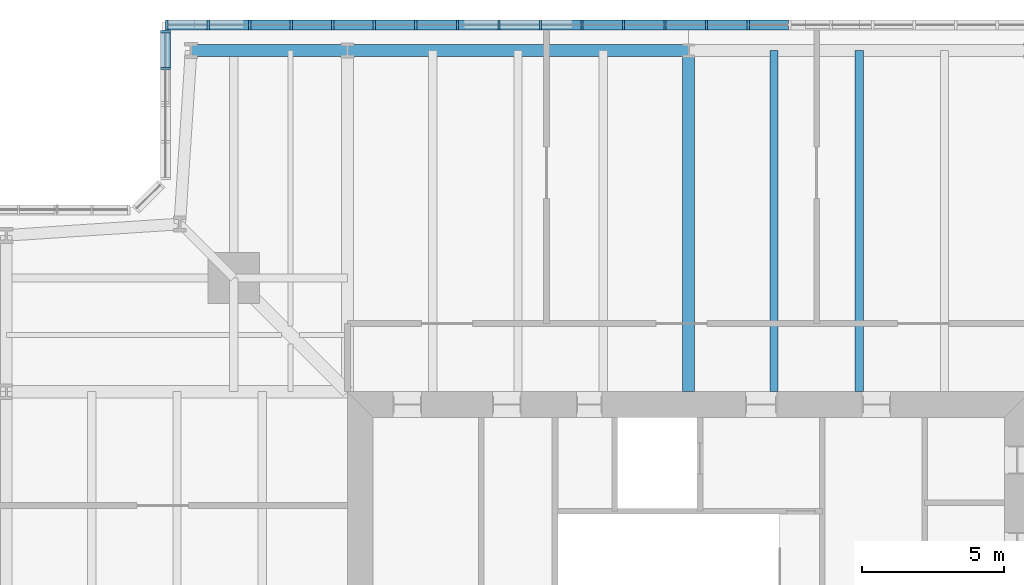
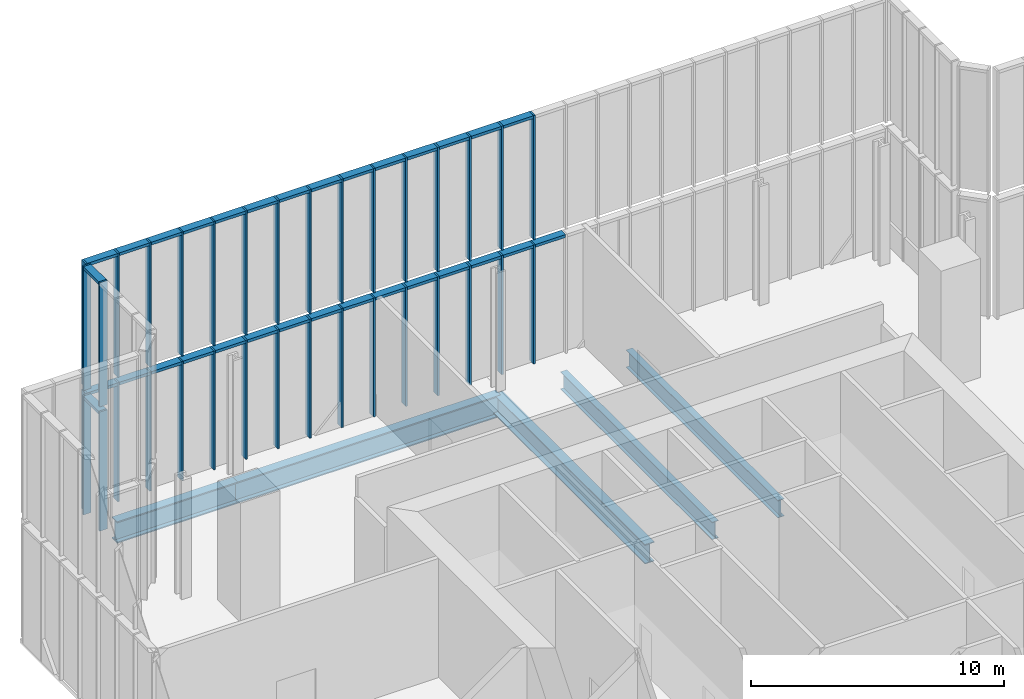
# One storey, part 9 of 25: 65 members, 5 beams, 4 elements without a shape of their own.
"""IFC4 building model written with IfcOpenShell, lengths in metres."""

import ifcopenshell
import ifcopenshell.guid

model = None  # the IFC model being written
_history = None  # IfcOwnerHistory: only IFC2X3 demands one
_inside = {}  # id of a spatial element -> (the spatial element, [elements in it])
_under = {}  # id of a project, library or spatial element -> (it, [spatial elements below it])
_declared = {}  # id of a project -> (the project, [libraries it declares])
_typed = {}  # id of a type object -> (the type object, [elements of that type])
_made_of = {}  # id of a material, layer set ... -> (it, [elements and type objects made of it])


def new_model(schema):
    """Start an empty IFC model of exactly this schema.

    Asked for "IFC4X3", IfcOpenShell would pick the latest addendum, in which some entities
    have other attributes; the version numbers below select the first issue.
    IFC2X3 requires an IfcOwnerHistory on every rooted entity: one is made here for all.
    """
    global model, _history
    if schema == "IFC4X3":
        model = ifcopenshell.file(schema_version=(4, 3, 0, 0))
    else:
        model = ifcopenshell.file(schema=schema)
    _inside.clear()
    _under.clear()
    _declared.clear()
    _typed.clear()
    _made_of.clear()
    _history = None
    if model.schema == "IFC2X3":
        org = make("IfcOrganization", Name="unknown")
        user = make(
            "IfcPersonAndOrganization",
            ThePerson=make("IfcPerson", FamilyName="unknown"),
            TheOrganization=org,
        )
        app = make(
            "IfcApplication",
            ApplicationDeveloper=org,
            Version="unknown",
            ApplicationFullName="unknown",
            ApplicationIdentifier="unknown",
        )
        _history = make(
            "IfcOwnerHistory",
            OwningUser=user,
            OwningApplication=app,
            ChangeAction="ADDED",
            CreationDate=0,
        )
    return model


def make(cls, **values):
    """One entity of the class cls with the attributes given. An attribute that is None is left unset."""
    return model.create_entity(
        cls, **{name: value for name, value in values.items() if value is not None}
    )


def rooted(cls, **values):
    """An entity with a GlobalId (a new one), such as an element, a storey or a relation."""
    return make(cls, GlobalId=ifcopenshell.guid.new(), OwnerHistory=_history, **values)


def si_unit(unit_type, name, prefix=None):
    """IfcSIUnit, for example si_unit("LENGTHUNIT", "METRE", prefix="MILLI")."""
    return make("IfcSIUnit", UnitType=unit_type, Prefix=prefix, Name=name)


def assignment(units):
    """IfcUnitAssignment: the units of a project."""
    return None if units is None else make("IfcUnitAssignment", Units=units)


def point(xyz):
    """IfcCartesianPoint."""
    return None if xyz is None else make("IfcCartesianPoint", Coordinates=xyz)


def direction(xyz):
    """IfcDirection."""
    return None if xyz is None else make("IfcDirection", DirectionRatios=xyz)


def frame(location, z_axis=None, x_axis=None):
    """IfcAxis2Placement3D, a coordinate frame: its origin and axes. An axis left out is left unset."""
    return make(
        "IfcAxis2Placement3D",
        Location=point(location),
        Axis=direction(z_axis),
        RefDirection=direction(x_axis),
    )


def frame_2d(location, x_axis=None):
    """IfcAxis2Placement2D, a coordinate frame in the plane: its origin and x axis."""
    return make(
        "IfcAxis2Placement2D", Location=point(location), RefDirection=direction(x_axis)
    )


def origin():
    """The frame at (0, 0, 0) with its axes left unset."""
    return frame((0.0, 0.0, 0.0))


def origin_2d():
    """The frame at (0, 0) in the plane with its x axis left unset."""
    return frame_2d((0.0, 0.0))


def place(relative_to, where):
    """IfcLocalPlacement: puts the frame where relative to a parent placement (None: the world)."""
    return make(
        "IfcLocalPlacement", PlacementRelTo=relative_to, RelativePlacement=where
    )


def context(
    kind, dimensions, precision=None, world=None, true_north=None, identifier=None
):
    """IfcGeometricRepresentationContext, for example the 3D "Model" context."""
    return make(
        "IfcGeometricRepresentationContext",
        ContextIdentifier=identifier,
        ContextType=kind,
        CoordinateSpaceDimension=dimensions,
        Precision=precision,
        WorldCoordinateSystem=world,
        TrueNorth=true_north,
    )


def subcontext(parent, identifier, kind, view, scale=None):
    """IfcGeometricRepresentationSubContext, for example "Body" below "Model"."""
    return make(
        "IfcGeometricRepresentationSubContext",
        ContextIdentifier=identifier,
        ContextType=kind,
        ParentContext=parent,
        TargetScale=scale,
        TargetView=view,
    )


def project(units=None, contexts=None):
    """IfcProject with its units and contexts."""
    return rooted(
        "IfcProject",
        Name="project",
        RepresentationContexts=contexts,
        UnitsInContext=assignment(units),
    )


def spatial(cls, under=None, at=None, **own):
    """A site, building, storey or space (cls), placed at a placement, below another one or the project."""
    s = rooted(cls, ObjectPlacement=at, **own)
    if under is not None:
        _under.setdefault(under.id(), (under, []))[1].append(s)
    return s


def profile(cls, at=None, kind="AREA", **sizes):
    """A parametric profile (cls). Its sizes go by their IFC names, for example OverallWidth=200.0."""
    return make(cls, ProfileType=kind, Position=at, **sizes)


def rectangle(**sizes):
    """IfcRectangleProfileDef."""
    return profile("IfcRectangleProfileDef", **sizes)


def i_section(**sizes):
    """IfcIShapeProfileDef."""
    return profile("IfcIShapeProfileDef", **sizes)


def extrude(swept, where, along, depth):
    """IfcExtrudedAreaSolid: the profile swept, set in the frame where, extruded along a direction by depth."""
    return make(
        "IfcExtrudedAreaSolid",
        SweptArea=swept,
        Position=where,
        ExtrudedDirection=direction(along),
        Depth=depth,
    )


def shape(context_of_items, identifier, shape_type, items):
    """IfcShapeRepresentation: the items that make up one representation, for example the "Body"."""
    return make(
        "IfcShapeRepresentation",
        ContextOfItems=context_of_items,
        RepresentationIdentifier=identifier,
        RepresentationType=shape_type,
        Items=items,
    )


def material(Name=None, Category=None):
    """IfcMaterial."""
    return make("IfcMaterial", Name=Name, Category=Category)


def material_profile(
    of_material, cross_section, Name=None, Category=None, Priority=None
):
    """IfcMaterialProfile: a cross section and its material."""
    return make(
        "IfcMaterialProfile",
        Name=Name,
        Material=of_material,
        Profile=cross_section,
        Priority=Priority,
        Category=Category,
    )


def profile_set(profiles, Name=None, composite=None):
    """IfcMaterialProfileSet."""
    return make(
        "IfcMaterialProfileSet",
        Name=Name,
        MaterialProfiles=profiles,
        CompositeProfile=composite,
    )


def made_of(thing, what):
    """Note that an element or type object is made of a material, layer set ...; save() writes the relation."""
    if what is not None:
        _made_of.setdefault(what.id(), (what, []))[1].append(thing)
    return thing


def type_object(cls, material=None, **own):
    """A type object (cls), such as IfcWallType, which elements share."""
    return made_of(rooted(cls, **own), material)


def element(
    cls,
    number,
    at=None,
    inside=None,
    cuts=None,
    type_object=None,
    material=None,
    context=None,
    identifier="Body",
    shape_type=None,
    held_by="IfcProductDefinitionShape",
    body=None,
    shapes=None,
    **own,
):
    """One element of the class cls, such as IfcWall. Its Tag is "e" and its number.

    at: its placement. inside: the storey or other place that contains it. cuts: it is an
    opening in that element (IfcRelVoidsElement). A single representation is given by context,
    identifier, shape_type and body (its items); several are given by shapes. held_by: the class
    of the entity that holds the representations. save() writes the other relations.
    """
    e = rooted(cls, Tag="e%d" % number, ObjectPlacement=at, **own)
    if body is not None:
        shapes = [shape(context, identifier, shape_type, body)]
    if shapes is not None:
        e.Representation = make(held_by, Representations=shapes)
    if inside is not None:
        _inside.setdefault(inside.id(), (inside, []))[1].append(e)
    if cuts is not None:
        rooted(
            "IfcRelVoidsElement", RelatingBuildingElement=cuts, RelatedOpeningElement=e
        )
    if type_object is not None:
        _typed.setdefault(type_object.id(), (type_object, []))[1].append(e)
    return made_of(e, material)


def aggregate(whole, parts):
    """IfcRelAggregates: a whole, such as a stair, and the parts it consists of."""
    return rooted("IfcRelAggregates", RelatingObject=whole, RelatedObjects=parts)


def save(model, path):
    """Write the relations noted so far, then the file.

    IfcRelAggregates (storeys below a building ...), IfcRelContainedInSpatialStructure (elements
    in a storey), IfcRelDefinesByType, IfcRelAssociatesMaterial and IfcRelDeclares: one each for
    every whole, place, type object, material and project.
    """
    for whole, parts in _under.values():
        aggregate(whole, parts)
    for where, things in _inside.values():
        rooted(
            "IfcRelContainedInSpatialStructure",
            RelatedElements=things,
            RelatingStructure=where,
        )
    for kind, things in _typed.values():
        rooted("IfcRelDefinesByType", RelatedObjects=things, RelatingType=kind)
    for what, things in _made_of.values():
        rooted("IfcRelAssociatesMaterial", RelatedObjects=things, RelatingMaterial=what)
    for by, libraries in _declared.values():
        rooted("IfcRelDeclares", RelatingContext=by, RelatedDefinitions=libraries)
    model.write(path)


model = new_model("IFC4")

# Units and contexts
model_context = context("Model", 3, precision=1e-05, world=origin(), true_north=direction((0.0, 1.0)))
body_context = subcontext(model_context, "Body", "Model", "MODEL_VIEW")
ifc_project = project(units=[si_unit("LENGTHUNIT", "METRE"), si_unit("AREAUNIT", "SQUARE_METRE"), si_unit("VOLUMEUNIT", "CUBIC_METRE"), si_unit("PLANEANGLEUNIT", "RADIAN"), si_unit("MASSUNIT", "GRAM", prefix="KILO")], contexts=[model_context])

# Site, building, storey
site_placement = place(None, origin())
site = spatial("IfcSite", under=ifc_project, at=site_placement, CompositionType="ELEMENT")
building_placement = place(site_placement, origin())
building = spatial("IfcBuilding", under=site, at=building_placement, Name="Fenwick Lantern Interchange", CompositionType="ELEMENT")
storey_placement = place(building_placement, frame((0.0, 0.0, 307.800048828125)))
storey = spatial("IfcBuildingStorey", under=building, at=storey_placement, Name="L74", CompositionType="ELEMENT", Elevation=307.800048828125)

# Beams
ifc_material_1 = material(Name="Steel ASTM A992 Grade 50", Category="steel")
ifc_material_profile_1 = material_profile(ifc_material_1, i_section(OverallWidth=0.408935546875, OverallDepth=1.04150390625, WebThickness=0.031005859375, FlangeThickness=0.055908203125, at=origin_2d()), Name="W40X397")
ifc_profile_set_1 = profile_set([ifc_material_profile_1], Name="Steel ASTM A992 Grade 50")
beam_type_1 = type_object("IfcBeamType", Name="EDGE BEAM W40X397", PredefinedType="SPANDREL", material=ifc_profile_set_1)
beam_1_placement = place(storey_placement, frame((25.0, 49.0, -0.720703125), z_axis=(-1.0, 0.0, 0.0), x_axis=(0.0, -1.0, 0.0)))
element("IfcBeam", 1, at=beam_1_placement, inside=storey, type_object=beam_type_1, Name="L74/FR/N/EB3", PredefinedType="SPANDREL", context=body_context, shape_type="SweptSolid", body=[
    extrude(i_section(OverallWidth=0.408935546875, OverallDepth=1.04150390625, WebThickness=0.031005859375, FlangeThickness=0.055908203125, at=origin_2d()), origin(), (0.0, 0.0, 1.0), 12.0),
])
beam_2_placement = place(storey_placement, frame((13.0, 49.0, -0.720703125), z_axis=(-1.0, 0.0, 0.0), x_axis=(0.0, -1.0, 0.0)))
element("IfcBeam", 2, at=beam_2_placement, inside=storey, type_object=beam_type_1, Name="L74/FR/N/EB4", PredefinedType="SPANDREL", context=body_context, shape_type="SweptSolid", body=[
    extrude(i_section(OverallWidth=0.408935546875, OverallDepth=1.04150390625, WebThickness=0.031005859375, FlangeThickness=0.055908203125, at=origin_2d()), origin(), (0.0, 0.0, 1.0), 5.5),
])
ifc_material_profile_2 = material_profile(ifc_material_1, i_section(OverallWidth=0.2919921875, OverallDepth=0.845703125, WebThickness=0.015380859375, FlangeThickness=0.0244140625, at=origin_2d()), Name="W33X141")
ifc_profile_set_2 = profile_set([ifc_material_profile_2], Name="Steel ASTM A992 Grade 50")
beam_type_2 = type_object("IfcBeamType", Name="FLOOR BEAM W33X141", PredefinedType="BEAM", material=ifc_profile_set_2)
for number, where, z_axis, x_axis, name in (
    (3, (31.0, 49.0, -0.623046875), (0.0, -1.0, 0.0), (1.0, 0.0, 0.0), "L74/FR/N/R03"),
    (4, (28.0, 49.0, -0.623046875), (0.0, -1.0, 0.0), (1.0, 0.0, 0.0), "L74/FR/N/R04"),
):
    element("IfcBeam", number, at=place(storey_placement, frame(where, z_axis=z_axis, x_axis=x_axis)), inside=storey, type_object=beam_type_2, Name=name, PredefinedType="BEAM", context=body_context, shape_type="SweptSolid", body=[
        extrude(i_section(OverallWidth=0.2919921875, OverallDepth=0.845703125, WebThickness=0.015380859375, FlangeThickness=0.0244140625, at=origin_2d()), origin(), (0.0, 0.0, 1.0), 12.0),
    ])

# Curtain wall, members
ifc_material_2 = material(Name="Aluminium curtain wall frame", Category="aluminium")
curtain_wall_type = type_object("IfcCurtainWallType", Name="LANTERN GLAZING", PredefinedType="USERDEFINED", material=ifc_material_2)
curtain_wall_1_placement = place(storey_placement, origin())
curtain_wall_1 = element("IfcCurtainWall", 5, at=curtain_wall_1_placement, inside=storey, type_object=curtain_wall_type, Name="Lantern glazing 09", ObjectType="LANTERN GLAZING", PredefinedType="USERDEFINED")
ifc_material_3 = material(Name="Aluminium extrusion", Category="aluminium")
ifc_material_profile_3 = material_profile(ifc_material_3, rectangle(XDim=0.35009765625, YDim=0.080078125, at=origin_2d()), Name="LANTERN GLAZING MULLION 80 X 350")
ifc_profile_set_3 = profile_set([ifc_material_profile_3], Name="Aluminium extrusion")
member_type_1 = type_object("IfcMemberType", Name="LANTERN GLAZING MULLION 80 X 350", PredefinedType="MULLION", material=ifc_profile_set_3)
member_1_placement = place(storey_placement, frame((27.09130859375, 49.89990234375, 0.0), z_axis=(0.0, 0.0, 1.0), x_axis=(0.0, -1.0, 0.0)))
member_1 = element("IfcMember", 6, at=member_1_placement, type_object=member_type_1, Name="L74/CW/09/M11", PredefinedType="MULLION", context=body_context, shape_type="SweptSolid", body=[
    extrude(rectangle(XDim=0.35009765625, YDim=0.080078125, at=origin_2d()), origin(), (0.0, 0.0, 1.0), 5.75),
])
member_2_placement = place(storey_placement, frame((25.63037109375, 49.89990234375, 0.0), z_axis=(0.0, 0.0, 1.0), x_axis=(0.0, -1.0, 0.0)))
member_2 = element("IfcMember", 7, at=member_2_placement, type_object=member_type_1, Name="L74/CW/09/M12", PredefinedType="MULLION", context=body_context, shape_type="SweptSolid", body=[
    extrude(rectangle(XDim=0.35009765625, YDim=0.080078125, at=origin_2d()), origin(), (0.0, 0.0, 1.0), 5.75),
])
member_3_placement = place(storey_placement, frame((24.169677734375, 49.89990234375, 0.0), z_axis=(0.0, 0.0, 1.0), x_axis=(0.0, -1.0, 0.0)))
member_3 = element("IfcMember", 8, at=member_3_placement, type_object=member_type_1, Name="L74/CW/09/M13", PredefinedType="MULLION", context=body_context, shape_type="SweptSolid", body=[
    extrude(rectangle(XDim=0.35009765625, YDim=0.080078125, at=origin_2d()), origin(), (0.0, 0.0, 1.0), 5.75),
])
member_4_placement = place(storey_placement, frame((22.708740234375, 49.89990234375, 0.0), z_axis=(0.0, 0.0, 1.0), x_axis=(0.0, -1.0, 0.0)))
member_4 = element("IfcMember", 9, at=member_4_placement, type_object=member_type_1, Name="L74/CW/09/M14", PredefinedType="MULLION", context=body_context, shape_type="SweptSolid", body=[
    extrude(rectangle(XDim=0.35009765625, YDim=0.080078125, at=origin_2d()), origin(), (0.0, 0.0, 1.0), 5.75),
])
member_5_placement = place(storey_placement, frame((21.248046875, 49.89990234375, 0.0), z_axis=(0.0, 0.0, 1.0), x_axis=(0.0, -1.0, 0.0)))
member_5 = element("IfcMember", 10, at=member_5_placement, type_object=member_type_1, Name="L74/CW/09/M15", PredefinedType="MULLION", context=body_context, shape_type="SweptSolid", body=[
    extrude(rectangle(XDim=0.35009765625, YDim=0.080078125, at=origin_2d()), origin(), (0.0, 0.0, 1.0), 5.75),
])
member_6_placement = place(storey_placement, frame((19.787109375, 49.89990234375, 0.0), z_axis=(0.0, 0.0, 1.0), x_axis=(0.0, -1.0, 0.0)))
member_6 = element("IfcMember", 11, at=member_6_placement, type_object=member_type_1, Name="L74/CW/09/M16", PredefinedType="MULLION", context=body_context, shape_type="SweptSolid", body=[
    extrude(rectangle(XDim=0.35009765625, YDim=0.080078125, at=origin_2d()), origin(), (0.0, 0.0, 1.0), 5.75),
])
member_7_placement = place(storey_placement, frame((18.326416015625, 49.89990234375, 0.0), z_axis=(0.0, 0.0, 1.0), x_axis=(0.0, -1.0, 0.0)))
member_7 = element("IfcMember", 12, at=member_7_placement, type_object=member_type_1, Name="L74/CW/09/M17", PredefinedType="MULLION", context=body_context, shape_type="SweptSolid", body=[
    extrude(rectangle(XDim=0.35009765625, YDim=0.080078125, at=origin_2d()), origin(), (0.0, 0.0, 1.0), 5.75),
])
member_8_placement = place(storey_placement, frame((16.865478515625, 49.89990234375, 0.0), z_axis=(0.0, 0.0, 1.0), x_axis=(0.0, -1.0, 0.0)))
member_8 = element("IfcMember", 13, at=member_8_placement, type_object=member_type_1, Name="L74/CW/09/M18", PredefinedType="MULLION", context=body_context, shape_type="SweptSolid", body=[
    extrude(rectangle(XDim=0.35009765625, YDim=0.080078125, at=origin_2d()), origin(), (0.0, 0.0, 1.0), 5.75),
])
member_9_placement = place(storey_placement, frame((15.40478515625, 49.89990234375, 0.0), z_axis=(0.0, 0.0, 1.0), x_axis=(0.0, -1.0, 0.0)))
member_9 = element("IfcMember", 14, at=member_9_placement, type_object=member_type_1, Name="L74/CW/09/M19", PredefinedType="MULLION", context=body_context, shape_type="SweptSolid", body=[
    extrude(rectangle(XDim=0.35009765625, YDim=0.080078125, at=origin_2d()), origin(), (0.0, 0.0, 1.0), 5.75),
])
member_10_placement = place(storey_placement, frame((13.944091796875, 49.89990234375, 0.0), z_axis=(0.0, 0.0, 1.0), x_axis=(0.0, -1.0, 0.0)))
member_10 = element("IfcMember", 15, at=member_10_placement, type_object=member_type_1, Name="L74/CW/09/M20", PredefinedType="MULLION", context=body_context, shape_type="SweptSolid", body=[
    extrude(rectangle(XDim=0.35009765625, YDim=0.080078125, at=origin_2d()), origin(), (0.0, 0.0, 1.0), 5.75),
])
member_11_placement = place(storey_placement, frame((12.483154296875, 49.89990234375, 0.0), z_axis=(0.0, 0.0, 1.0), x_axis=(0.0, -1.0, 0.0)))
member_11 = element("IfcMember", 16, at=member_11_placement, type_object=member_type_1, Name="L74/CW/09/M21", PredefinedType="MULLION", context=body_context, shape_type="SweptSolid", body=[
    extrude(rectangle(XDim=0.35009765625, YDim=0.080078125, at=origin_2d()), origin(), (0.0, 0.0, 1.0), 5.75),
])
member_12_placement = place(storey_placement, frame((11.0224609375, 49.89990234375, 0.0), z_axis=(0.0, 0.0, 1.0), x_axis=(0.0, -1.0, 0.0)))
member_12 = element("IfcMember", 17, at=member_12_placement, type_object=member_type_1, Name="L74/CW/09/M22", PredefinedType="MULLION", context=body_context, shape_type="SweptSolid", body=[
    extrude(rectangle(XDim=0.35009765625, YDim=0.080078125, at=origin_2d()), origin(), (0.0, 0.0, 1.0), 5.75),
])
member_13_placement = place(storey_placement, frame((9.5615234375, 49.89990234375, 0.0), z_axis=(0.0, 0.0, 1.0), x_axis=(0.0, -1.0, 0.0)))
member_13 = element("IfcMember", 18, at=member_13_placement, type_object=member_type_1, Name="L74/CW/09/M23", PredefinedType="MULLION", context=body_context, shape_type="SweptSolid", body=[
    extrude(rectangle(XDim=0.35009765625, YDim=0.080078125, at=origin_2d()), origin(), (0.0, 0.0, 1.0), 5.75),
])
member_14_placement = place(storey_placement, frame((8.100830078125, 49.89990234375, 0.0), z_axis=(0.0, 0.0, 1.0), x_axis=(0.0, -1.0, 0.0)))
member_14 = element("IfcMember", 19, at=member_14_placement, type_object=member_type_1, Name="L74/CW/09/M24", PredefinedType="MULLION", context=body_context, shape_type="SweptSolid", body=[
    extrude(rectangle(XDim=0.35009765625, YDim=0.080078125, at=origin_2d()), origin(), (0.0, 0.0, 1.0), 5.75),
])
member_15_placement = place(storey_placement, frame((6.639892578125, 49.89990234375, 0.0), z_axis=(0.0, 0.0, 1.0), x_axis=(0.0, -1.0, 0.0)))
member_15 = element("IfcMember", 20, at=member_15_placement, type_object=member_type_1, Name="L74/CW/09/M25", PredefinedType="MULLION", context=body_context, shape_type="SweptSolid", body=[
    extrude(rectangle(XDim=0.35009765625, YDim=0.080078125, at=origin_2d()), origin(), (0.0, 0.0, 1.0), 5.75),
])

curtain_wall_2_placement = place(storey_placement, origin())
curtain_wall_2 = element("IfcCurtainWall", 21, at=curtain_wall_2_placement, inside=storey, type_object=curtain_wall_type, Name="Lantern glazing 10", ObjectType="LANTERN GLAZING", PredefinedType="USERDEFINED")
member_16_placement = place(storey_placement, frame((6.60009765625, 49.659912109375, 0.0), z_axis=(0.0, 0.0, 1.0), x_axis=(1.0, 0.0, 0.0)))
member_16 = element("IfcMember", 22, at=member_16_placement, type_object=member_type_1, Name="L74/CW/10/M00", PredefinedType="MULLION", context=body_context, shape_type="SweptSolid", body=[
    extrude(rectangle(XDim=0.35009765625, YDim=0.080078125, at=origin_2d()), origin(), (0.0, 0.0, 1.0), 5.75),
])
member_17_placement = place(storey_placement, frame((6.60009765625, 48.36962890625, 0.0), z_axis=(0.0, 0.0, 1.0), x_axis=(1.0, 0.0, 0.0)))
member_17 = element("IfcMember", 23, at=member_17_placement, type_object=member_type_1, Name="L74/CW/10/M01", PredefinedType="MULLION", context=body_context, shape_type="SweptSolid", body=[
    extrude(rectangle(XDim=0.35009765625, YDim=0.080078125, at=origin_2d()), origin(), (0.0, 0.0, 1.0), 5.75),
])

curtain_wall_3_placement = place(storey_placement, origin())
curtain_wall_3 = element("IfcCurtainWall", 24, at=curtain_wall_3_placement, inside=storey, type_object=curtain_wall_type, Name="Lantern glazing 09", ObjectType="LANTERN GLAZING", PredefinedType="USERDEFINED")
member_18_placement = place(storey_placement, frame((27.09130859375, 49.89990234375, 6.0), z_axis=(0.0, 0.0, 1.0), x_axis=(0.0, -1.0, 0.0)))
member_18 = element("IfcMember", 25, at=member_18_placement, type_object=member_type_1, Name="RF/LANTERN/09/M11", PredefinedType="MULLION", context=body_context, shape_type="SweptSolid", body=[
    extrude(rectangle(XDim=0.35009765625, YDim=0.080078125, at=origin_2d()), origin(), (0.0, 0.0, 1.0), 6.0),
])
member_19_placement = place(storey_placement, frame((25.63037109375, 49.89990234375, 6.0), z_axis=(0.0, 0.0, 1.0), x_axis=(0.0, -1.0, 0.0)))
member_19 = element("IfcMember", 26, at=member_19_placement, type_object=member_type_1, Name="RF/LANTERN/09/M12", PredefinedType="MULLION", context=body_context, shape_type="SweptSolid", body=[
    extrude(rectangle(XDim=0.35009765625, YDim=0.080078125, at=origin_2d()), origin(), (0.0, 0.0, 1.0), 6.0),
])
member_20_placement = place(storey_placement, frame((24.169677734375, 49.89990234375, 6.0), z_axis=(0.0, 0.0, 1.0), x_axis=(0.0, -1.0, 0.0)))
member_20 = element("IfcMember", 27, at=member_20_placement, type_object=member_type_1, Name="RF/LANTERN/09/M13", PredefinedType="MULLION", context=body_context, shape_type="SweptSolid", body=[
    extrude(rectangle(XDim=0.35009765625, YDim=0.080078125, at=origin_2d()), origin(), (0.0, 0.0, 1.0), 6.0),
])
member_21_placement = place(storey_placement, frame((22.708740234375, 49.89990234375, 6.0), z_axis=(0.0, 0.0, 1.0), x_axis=(0.0, -1.0, 0.0)))
member_21 = element("IfcMember", 28, at=member_21_placement, type_object=member_type_1, Name="RF/LANTERN/09/M14", PredefinedType="MULLION", context=body_context, shape_type="SweptSolid", body=[
    extrude(rectangle(XDim=0.35009765625, YDim=0.080078125, at=origin_2d()), origin(), (0.0, 0.0, 1.0), 6.0),
])
member_22_placement = place(storey_placement, frame((21.248046875, 49.89990234375, 6.0), z_axis=(0.0, 0.0, 1.0), x_axis=(0.0, -1.0, 0.0)))
member_22 = element("IfcMember", 29, at=member_22_placement, type_object=member_type_1, Name="RF/LANTERN/09/M15", PredefinedType="MULLION", context=body_context, shape_type="SweptSolid", body=[
    extrude(rectangle(XDim=0.35009765625, YDim=0.080078125, at=origin_2d()), origin(), (0.0, 0.0, 1.0), 6.0),
])
member_23_placement = place(storey_placement, frame((19.787109375, 49.89990234375, 6.0), z_axis=(0.0, 0.0, 1.0), x_axis=(0.0, -1.0, 0.0)))
member_23 = element("IfcMember", 30, at=member_23_placement, type_object=member_type_1, Name="RF/LANTERN/09/M16", PredefinedType="MULLION", context=body_context, shape_type="SweptSolid", body=[
    extrude(rectangle(XDim=0.35009765625, YDim=0.080078125, at=origin_2d()), origin(), (0.0, 0.0, 1.0), 6.0),
])
member_24_placement = place(storey_placement, frame((18.326416015625, 49.89990234375, 6.0), z_axis=(0.0, 0.0, 1.0), x_axis=(0.0, -1.0, 0.0)))
member_24 = element("IfcMember", 31, at=member_24_placement, type_object=member_type_1, Name="RF/LANTERN/09/M17", PredefinedType="MULLION", context=body_context, shape_type="SweptSolid", body=[
    extrude(rectangle(XDim=0.35009765625, YDim=0.080078125, at=origin_2d()), origin(), (0.0, 0.0, 1.0), 6.0),
])
member_25_placement = place(storey_placement, frame((16.865478515625, 49.89990234375, 6.0), z_axis=(0.0, 0.0, 1.0), x_axis=(0.0, -1.0, 0.0)))
member_25 = element("IfcMember", 32, at=member_25_placement, type_object=member_type_1, Name="RF/LANTERN/09/M18", PredefinedType="MULLION", context=body_context, shape_type="SweptSolid", body=[
    extrude(rectangle(XDim=0.35009765625, YDim=0.080078125, at=origin_2d()), origin(), (0.0, 0.0, 1.0), 6.0),
])
member_26_placement = place(storey_placement, frame((15.40478515625, 49.89990234375, 6.0), z_axis=(0.0, 0.0, 1.0), x_axis=(0.0, -1.0, 0.0)))
member_26 = element("IfcMember", 33, at=member_26_placement, type_object=member_type_1, Name="RF/LANTERN/09/M19", PredefinedType="MULLION", context=body_context, shape_type="SweptSolid", body=[
    extrude(rectangle(XDim=0.35009765625, YDim=0.080078125, at=origin_2d()), origin(), (0.0, 0.0, 1.0), 6.0),
])
member_27_placement = place(storey_placement, frame((13.944091796875, 49.89990234375, 6.0), z_axis=(0.0, 0.0, 1.0), x_axis=(0.0, -1.0, 0.0)))
member_27 = element("IfcMember", 34, at=member_27_placement, type_object=member_type_1, Name="RF/LANTERN/09/M20", PredefinedType="MULLION", context=body_context, shape_type="SweptSolid", body=[
    extrude(rectangle(XDim=0.35009765625, YDim=0.080078125, at=origin_2d()), origin(), (0.0, 0.0, 1.0), 6.0),
])
member_28_placement = place(storey_placement, frame((12.483154296875, 49.89990234375, 6.0), z_axis=(0.0, 0.0, 1.0), x_axis=(0.0, -1.0, 0.0)))
member_28 = element("IfcMember", 35, at=member_28_placement, type_object=member_type_1, Name="RF/LANTERN/09/M21", PredefinedType="MULLION", context=body_context, shape_type="SweptSolid", body=[
    extrude(rectangle(XDim=0.35009765625, YDim=0.080078125, at=origin_2d()), origin(), (0.0, 0.0, 1.0), 6.0),
])
member_29_placement = place(storey_placement, frame((11.0224609375, 49.89990234375, 6.0), z_axis=(0.0, 0.0, 1.0), x_axis=(0.0, -1.0, 0.0)))
member_29 = element("IfcMember", 36, at=member_29_placement, type_object=member_type_1, Name="RF/LANTERN/09/M22", PredefinedType="MULLION", context=body_context, shape_type="SweptSolid", body=[
    extrude(rectangle(XDim=0.35009765625, YDim=0.080078125, at=origin_2d()), origin(), (0.0, 0.0, 1.0), 6.0),
])
member_30_placement = place(storey_placement, frame((9.5615234375, 49.89990234375, 6.0), z_axis=(0.0, 0.0, 1.0), x_axis=(0.0, -1.0, 0.0)))
member_30 = element("IfcMember", 37, at=member_30_placement, type_object=member_type_1, Name="RF/LANTERN/09/M23", PredefinedType="MULLION", context=body_context, shape_type="SweptSolid", body=[
    extrude(rectangle(XDim=0.35009765625, YDim=0.080078125, at=origin_2d()), origin(), (0.0, 0.0, 1.0), 6.0),
])
member_31_placement = place(storey_placement, frame((8.100830078125, 49.89990234375, 6.0), z_axis=(0.0, 0.0, 1.0), x_axis=(0.0, -1.0, 0.0)))
member_31 = element("IfcMember", 38, at=member_31_placement, type_object=member_type_1, Name="RF/LANTERN/09/M24", PredefinedType="MULLION", context=body_context, shape_type="SweptSolid", body=[
    extrude(rectangle(XDim=0.35009765625, YDim=0.080078125, at=origin_2d()), origin(), (0.0, 0.0, 1.0), 6.0),
])
member_32_placement = place(storey_placement, frame((6.639892578125, 49.89990234375, 6.0), z_axis=(0.0, 0.0, 1.0), x_axis=(0.0, -1.0, 0.0)))
member_32 = element("IfcMember", 39, at=member_32_placement, type_object=member_type_1, Name="RF/LANTERN/09/M25", PredefinedType="MULLION", context=body_context, shape_type="SweptSolid", body=[
    extrude(rectangle(XDim=0.35009765625, YDim=0.080078125, at=origin_2d()), origin(), (0.0, 0.0, 1.0), 6.0),
])

curtain_wall_4_placement = place(storey_placement, origin())
curtain_wall_4 = element("IfcCurtainWall", 40, at=curtain_wall_4_placement, inside=storey, type_object=curtain_wall_type, Name="Lantern glazing 10", ObjectType="LANTERN GLAZING", PredefinedType="USERDEFINED")
member_33_placement = place(storey_placement, frame((6.60009765625, 49.659912109375, 6.0), z_axis=(0.0, 0.0, 1.0), x_axis=(1.0, 0.0, 0.0)))
member_33 = element("IfcMember", 41, at=member_33_placement, type_object=member_type_1, Name="RF/LANTERN/10/M00", PredefinedType="MULLION", context=body_context, shape_type="SweptSolid", body=[
    extrude(rectangle(XDim=0.35009765625, YDim=0.080078125, at=origin_2d()), origin(), (0.0, 0.0, 1.0), 6.0),
])
member_34_placement = place(storey_placement, frame((6.60009765625, 48.36962890625, 6.0), z_axis=(0.0, 0.0, 1.0), x_axis=(1.0, 0.0, 0.0)))
member_34 = element("IfcMember", 42, at=member_34_placement, type_object=member_type_1, Name="RF/LANTERN/10/M01", PredefinedType="MULLION", context=body_context, shape_type="SweptSolid", body=[
    extrude(rectangle(XDim=0.35009765625, YDim=0.080078125, at=origin_2d()), origin(), (0.0, 0.0, 1.0), 6.0),
])

# Member
ifc_material_profile_4 = material_profile(ifc_material_3, rectangle(XDim=0.35009765625, YDim=0.139892578125, at=origin_2d()), Name="LANTERN GLAZING TRANSOM 140 X 350")
ifc_profile_set_4 = profile_set([ifc_material_profile_4], Name="Aluminium extrusion")
member_type_2 = type_object("IfcMemberType", Name="LANTERN GLAZING TRANSOM 140 X 350", PredefinedType="MULLION", material=ifc_profile_set_4)
member_35_placement = place(storey_placement, frame((28.511962890625, 49.89990234375, 5.679931640625), z_axis=(-1.0, 0.0, 0.0), x_axis=(0.0, -1.0, 0.0)))
member_35 = element("IfcMember", 43, at=member_35_placement, type_object=member_type_2, Name="L74/CW/09/T10", PredefinedType="MULLION", context=body_context, shape_type="SweptSolid", body=[
    extrude(rectangle(XDim=0.35009765625, YDim=0.139892578125, at=origin_2d()), origin(), (0.0, 0.0, 1.0), 1.380859375),
])

member_36_placement = place(storey_placement, frame((27.05126953125, 49.89990234375, 5.679931640625), z_axis=(-1.0, 0.0, 0.0), x_axis=(0.0, -1.0, 0.0)))
member_36 = element("IfcMember", 44, at=member_36_placement, type_object=member_type_2, Name="L74/CW/09/T11", PredefinedType="MULLION", context=body_context, shape_type="SweptSolid", body=[
    extrude(rectangle(XDim=0.35009765625, YDim=0.139892578125, at=origin_2d()), origin(), (0.0, 0.0, 1.0), 1.380859375),
])

member_37_placement = place(storey_placement, frame((25.59033203125, 49.89990234375, 5.679931640625), z_axis=(-1.0, 0.0, 0.0), x_axis=(0.0, -1.0, 0.0)))
member_37 = element("IfcMember", 45, at=member_37_placement, type_object=member_type_2, Name="L74/CW/09/T12", PredefinedType="MULLION", context=body_context, shape_type="SweptSolid", body=[
    extrude(rectangle(XDim=0.35009765625, YDim=0.139892578125, at=origin_2d()), origin(), (0.0, 0.0, 1.0), 1.380615234375),
])

member_38_placement = place(storey_placement, frame((24.129638671875, 49.89990234375, 5.679931640625), z_axis=(-1.0, 0.0, 0.0), x_axis=(0.0, -1.0, 0.0)))
member_38 = element("IfcMember", 46, at=member_38_placement, type_object=member_type_2, Name="L74/CW/09/T13", PredefinedType="MULLION", context=body_context, shape_type="SweptSolid", body=[
    extrude(rectangle(XDim=0.35009765625, YDim=0.139892578125, at=origin_2d()), origin(), (0.0, 0.0, 1.0), 1.380859375),
])

member_39_placement = place(storey_placement, frame((22.668701171875, 49.89990234375, 5.679931640625), z_axis=(-1.0, 0.0, 0.0), x_axis=(0.0, -1.0, 0.0)))
member_39 = element("IfcMember", 47, at=member_39_placement, type_object=member_type_2, Name="L74/CW/09/T14", PredefinedType="MULLION", context=body_context, shape_type="SweptSolid", body=[
    extrude(rectangle(XDim=0.35009765625, YDim=0.139892578125, at=origin_2d()), origin(), (0.0, 0.0, 1.0), 1.380615234375),
])

member_40_placement = place(storey_placement, frame((21.2080078125, 49.89990234375, 5.679931640625), z_axis=(-1.0, 0.0, 0.0), x_axis=(0.0, -1.0, 0.0)))
member_40 = element("IfcMember", 48, at=member_40_placement, type_object=member_type_2, Name="L74/CW/09/T15", PredefinedType="MULLION", context=body_context, shape_type="SweptSolid", body=[
    extrude(rectangle(XDim=0.35009765625, YDim=0.139892578125, at=origin_2d()), origin(), (0.0, 0.0, 1.0), 1.380859375),
])

member_41_placement = place(storey_placement, frame((19.747314453125, 49.89990234375, 5.679931640625), z_axis=(-1.0, 0.0, 0.0), x_axis=(0.0, -1.0, 0.0)))
member_41 = element("IfcMember", 49, at=member_41_placement, type_object=member_type_2, Name="L74/CW/09/T16", PredefinedType="MULLION", context=body_context, shape_type="SweptSolid", body=[
    extrude(rectangle(XDim=0.35009765625, YDim=0.139892578125, at=origin_2d()), origin(), (0.0, 0.0, 1.0), 1.380859375),
])

member_42_placement = place(storey_placement, frame((18.286376953125, 49.89990234375, 5.679931640625), z_axis=(-1.0, 0.0, 0.0), x_axis=(0.0, -1.0, 0.0)))
member_42 = element("IfcMember", 50, at=member_42_placement, type_object=member_type_2, Name="L74/CW/09/T17", PredefinedType="MULLION", context=body_context, shape_type="SweptSolid", body=[
    extrude(rectangle(XDim=0.35009765625, YDim=0.139892578125, at=origin_2d()), origin(), (0.0, 0.0, 1.0), 1.380859375),
])

member_43_placement = place(storey_placement, frame((16.82568359375, 49.89990234375, 5.679931640625), z_axis=(-1.0, 0.0, 0.0), x_axis=(0.0, -1.0, 0.0)))
member_43 = element("IfcMember", 51, at=member_43_placement, type_object=member_type_2, Name="L74/CW/09/T18", PredefinedType="MULLION", context=body_context, shape_type="SweptSolid", body=[
    extrude(rectangle(XDim=0.35009765625, YDim=0.139892578125, at=origin_2d()), origin(), (0.0, 0.0, 1.0), 1.380859375),
])

member_44_placement = place(storey_placement, frame((15.36474609375, 49.89990234375, 5.679931640625), z_axis=(-1.0, 0.0, 0.0), x_axis=(0.0, -1.0, 0.0)))
member_44 = element("IfcMember", 52, at=member_44_placement, type_object=member_type_2, Name="L74/CW/09/T19", PredefinedType="MULLION", context=body_context, shape_type="SweptSolid", body=[
    extrude(rectangle(XDim=0.35009765625, YDim=0.139892578125, at=origin_2d()), origin(), (0.0, 0.0, 1.0), 1.380859375),
])

member_45_placement = place(storey_placement, frame((13.904052734375, 49.89990234375, 5.679931640625), z_axis=(-1.0, 0.0, 0.0), x_axis=(0.0, -1.0, 0.0)))
member_45 = element("IfcMember", 53, at=member_45_placement, type_object=member_type_2, Name="L74/CW/09/T20", PredefinedType="MULLION", context=body_context, shape_type="SweptSolid", body=[
    extrude(rectangle(XDim=0.35009765625, YDim=0.139892578125, at=origin_2d()), origin(), (0.0, 0.0, 1.0), 1.380859375),
])

member_46_placement = place(storey_placement, frame((12.443115234375, 49.89990234375, 5.679931640625), z_axis=(-1.0, 0.0, 0.0), x_axis=(0.0, -1.0, 0.0)))
member_46 = element("IfcMember", 54, at=member_46_placement, type_object=member_type_2, Name="L74/CW/09/T21", PredefinedType="MULLION", context=body_context, shape_type="SweptSolid", body=[
    extrude(rectangle(XDim=0.35009765625, YDim=0.139892578125, at=origin_2d()), origin(), (0.0, 0.0, 1.0), 1.380615234375),
])

member_47_placement = place(storey_placement, frame((10.982421875, 49.89990234375, 5.679931640625), z_axis=(-1.0, 0.0, 0.0), x_axis=(0.0, -1.0, 0.0)))
member_47 = element("IfcMember", 55, at=member_47_placement, type_object=member_type_2, Name="L74/CW/09/T22", PredefinedType="MULLION", context=body_context, shape_type="SweptSolid", body=[
    extrude(rectangle(XDim=0.35009765625, YDim=0.139892578125, at=origin_2d()), origin(), (0.0, 0.0, 1.0), 1.380859375),
])

member_48_placement = place(storey_placement, frame((9.521484375, 49.89990234375, 5.679931640625), z_axis=(-1.0, 0.0, 0.0), x_axis=(0.0, -1.0, 0.0)))
member_48 = element("IfcMember", 56, at=member_48_placement, type_object=member_type_2, Name="L74/CW/09/T23", PredefinedType="MULLION", context=body_context, shape_type="SweptSolid", body=[
    extrude(rectangle(XDim=0.35009765625, YDim=0.139892578125, at=origin_2d()), origin(), (0.0, 0.0, 1.0), 1.380615234375),
])

member_49_placement = place(storey_placement, frame((8.060791015625, 49.89990234375, 5.679931640625), z_axis=(-1.0, 0.0, 0.0), x_axis=(0.0, -1.0, 0.0)))
member_49 = element("IfcMember", 57, at=member_49_placement, type_object=member_type_2, Name="L74/CW/09/T24", PredefinedType="MULLION", context=body_context, shape_type="SweptSolid", body=[
    extrude(rectangle(XDim=0.35009765625, YDim=0.139892578125, at=origin_2d()), origin(), (0.0, 0.0, 1.0), 1.380859375),
])

aggregate(curtain_wall_1, [member_1, member_2, member_3, member_4, member_5, member_6, member_7, member_8, member_9, member_10, member_11, member_12, member_13, member_14, member_15, member_35, member_36, member_37, member_38, member_39, member_40, member_41, member_42, member_43, member_44, member_45, member_46, member_47, member_48, member_49])

member_50_placement = place(storey_placement, frame((6.60009765625, 49.6201171875, 5.679931640625), z_axis=(0.0, -1.0, 0.0), x_axis=(1.0, 0.0, 0.0)))
member_50 = element("IfcMember", 58, at=member_50_placement, type_object=member_type_2, Name="L74/CW/10/T00", PredefinedType="MULLION", context=body_context, shape_type="SweptSolid", body=[
    extrude(rectangle(XDim=0.35009765625, YDim=0.139892578125, at=origin_2d()), origin(), (0.0, 0.0, 1.0), 1.21044921875),
])

aggregate(curtain_wall_2, [member_16, member_17, member_50])

member_51_placement = place(storey_placement, frame((27.05126953125, 49.89990234375, 11.929931640625), z_axis=(-1.0, 0.0, 0.0), x_axis=(0.0, -1.0, 0.0)))
member_51 = element("IfcMember", 59, at=member_51_placement, type_object=member_type_2, Name="RF/LANTERN/09/T11", PredefinedType="MULLION", context=body_context, shape_type="SweptSolid", body=[
    extrude(rectangle(XDim=0.35009765625, YDim=0.139892578125, at=origin_2d()), origin(), (0.0, 0.0, 1.0), 1.380859375),
])

member_52_placement = place(storey_placement, frame((25.59033203125, 49.89990234375, 11.929931640625), z_axis=(-1.0, 0.0, 0.0), x_axis=(0.0, -1.0, 0.0)))
member_52 = element("IfcMember", 60, at=member_52_placement, type_object=member_type_2, Name="RF/LANTERN/09/T12", PredefinedType="MULLION", context=body_context, shape_type="SweptSolid", body=[
    extrude(rectangle(XDim=0.35009765625, YDim=0.139892578125, at=origin_2d()), origin(), (0.0, 0.0, 1.0), 1.380615234375),
])

member_53_placement = place(storey_placement, frame((24.129638671875, 49.89990234375, 11.929931640625), z_axis=(-1.0, 0.0, 0.0), x_axis=(0.0, -1.0, 0.0)))
member_53 = element("IfcMember", 61, at=member_53_placement, type_object=member_type_2, Name="RF/LANTERN/09/T13", PredefinedType="MULLION", context=body_context, shape_type="SweptSolid", body=[
    extrude(rectangle(XDim=0.35009765625, YDim=0.139892578125, at=origin_2d()), origin(), (0.0, 0.0, 1.0), 1.380859375),
])

member_54_placement = place(storey_placement, frame((22.668701171875, 49.89990234375, 11.929931640625), z_axis=(-1.0, 0.0, 0.0), x_axis=(0.0, -1.0, 0.0)))
member_54 = element("IfcMember", 62, at=member_54_placement, type_object=member_type_2, Name="RF/LANTERN/09/T14", PredefinedType="MULLION", context=body_context, shape_type="SweptSolid", body=[
    extrude(rectangle(XDim=0.35009765625, YDim=0.139892578125, at=origin_2d()), origin(), (0.0, 0.0, 1.0), 1.380615234375),
])

member_55_placement = place(storey_placement, frame((21.2080078125, 49.89990234375, 11.929931640625), z_axis=(-1.0, 0.0, 0.0), x_axis=(0.0, -1.0, 0.0)))
member_55 = element("IfcMember", 63, at=member_55_placement, type_object=member_type_2, Name="RF/LANTERN/09/T15", PredefinedType="MULLION", context=body_context, shape_type="SweptSolid", body=[
    extrude(rectangle(XDim=0.35009765625, YDim=0.139892578125, at=origin_2d()), origin(), (0.0, 0.0, 1.0), 1.380859375),
])

member_56_placement = place(storey_placement, frame((19.747314453125, 49.89990234375, 11.929931640625), z_axis=(-1.0, 0.0, 0.0), x_axis=(0.0, -1.0, 0.0)))
member_56 = element("IfcMember", 64, at=member_56_placement, type_object=member_type_2, Name="RF/LANTERN/09/T16", PredefinedType="MULLION", context=body_context, shape_type="SweptSolid", body=[
    extrude(rectangle(XDim=0.35009765625, YDim=0.139892578125, at=origin_2d()), origin(), (0.0, 0.0, 1.0), 1.380859375),
])

member_57_placement = place(storey_placement, frame((18.286376953125, 49.89990234375, 11.929931640625), z_axis=(-1.0, 0.0, 0.0), x_axis=(0.0, -1.0, 0.0)))
member_57 = element("IfcMember", 65, at=member_57_placement, type_object=member_type_2, Name="RF/LANTERN/09/T17", PredefinedType="MULLION", context=body_context, shape_type="SweptSolid", body=[
    extrude(rectangle(XDim=0.35009765625, YDim=0.139892578125, at=origin_2d()), origin(), (0.0, 0.0, 1.0), 1.380859375),
])

member_58_placement = place(storey_placement, frame((16.82568359375, 49.89990234375, 11.929931640625), z_axis=(-1.0, 0.0, 0.0), x_axis=(0.0, -1.0, 0.0)))
member_58 = element("IfcMember", 66, at=member_58_placement, type_object=member_type_2, Name="RF/LANTERN/09/T18", PredefinedType="MULLION", context=body_context, shape_type="SweptSolid", body=[
    extrude(rectangle(XDim=0.35009765625, YDim=0.139892578125, at=origin_2d()), origin(), (0.0, 0.0, 1.0), 1.380859375),
])

member_59_placement = place(storey_placement, frame((15.36474609375, 49.89990234375, 11.929931640625), z_axis=(-1.0, 0.0, 0.0), x_axis=(0.0, -1.0, 0.0)))
member_59 = element("IfcMember", 67, at=member_59_placement, type_object=member_type_2, Name="RF/LANTERN/09/T19", PredefinedType="MULLION", context=body_context, shape_type="SweptSolid", body=[
    extrude(rectangle(XDim=0.35009765625, YDim=0.139892578125, at=origin_2d()), origin(), (0.0, 0.0, 1.0), 1.380859375),
])

member_60_placement = place(storey_placement, frame((13.904052734375, 49.89990234375, 11.929931640625), z_axis=(-1.0, 0.0, 0.0), x_axis=(0.0, -1.0, 0.0)))
member_60 = element("IfcMember", 68, at=member_60_placement, type_object=member_type_2, Name="RF/LANTERN/09/T20", PredefinedType="MULLION", context=body_context, shape_type="SweptSolid", body=[
    extrude(rectangle(XDim=0.35009765625, YDim=0.139892578125, at=origin_2d()), origin(), (0.0, 0.0, 1.0), 1.380859375),
])

member_61_placement = place(storey_placement, frame((12.443115234375, 49.89990234375, 11.929931640625), z_axis=(-1.0, 0.0, 0.0), x_axis=(0.0, -1.0, 0.0)))
member_61 = element("IfcMember", 69, at=member_61_placement, type_object=member_type_2, Name="RF/LANTERN/09/T21", PredefinedType="MULLION", context=body_context, shape_type="SweptSolid", body=[
    extrude(rectangle(XDim=0.35009765625, YDim=0.139892578125, at=origin_2d()), origin(), (0.0, 0.0, 1.0), 1.380615234375),
])

member_62_placement = place(storey_placement, frame((10.982421875, 49.89990234375, 11.929931640625), z_axis=(-1.0, 0.0, 0.0), x_axis=(0.0, -1.0, 0.0)))
member_62 = element("IfcMember", 70, at=member_62_placement, type_object=member_type_2, Name="RF/LANTERN/09/T22", PredefinedType="MULLION", context=body_context, shape_type="SweptSolid", body=[
    extrude(rectangle(XDim=0.35009765625, YDim=0.139892578125, at=origin_2d()), origin(), (0.0, 0.0, 1.0), 1.380859375),
])

member_63_placement = place(storey_placement, frame((9.521484375, 49.89990234375, 11.929931640625), z_axis=(-1.0, 0.0, 0.0), x_axis=(0.0, -1.0, 0.0)))
member_63 = element("IfcMember", 71, at=member_63_placement, type_object=member_type_2, Name="RF/LANTERN/09/T23", PredefinedType="MULLION", context=body_context, shape_type="SweptSolid", body=[
    extrude(rectangle(XDim=0.35009765625, YDim=0.139892578125, at=origin_2d()), origin(), (0.0, 0.0, 1.0), 1.380615234375),
])

member_64_placement = place(storey_placement, frame((8.060791015625, 49.89990234375, 11.929931640625), z_axis=(-1.0, 0.0, 0.0), x_axis=(0.0, -1.0, 0.0)))
member_64 = element("IfcMember", 72, at=member_64_placement, type_object=member_type_2, Name="RF/LANTERN/09/T24", PredefinedType="MULLION", context=body_context, shape_type="SweptSolid", body=[
    extrude(rectangle(XDim=0.35009765625, YDim=0.139892578125, at=origin_2d()), origin(), (0.0, 0.0, 1.0), 1.380859375),
])

aggregate(curtain_wall_3, [member_18, member_19, member_20, member_21, member_22, member_23, member_24, member_25, member_26, member_27, member_28, member_29, member_30, member_31, member_32, member_51, member_52, member_53, member_54, member_55, member_56, member_57, member_58, member_59, member_60, member_61, member_62, member_63, member_64])

member_65_placement = place(storey_placement, frame((6.60009765625, 49.6201171875, 11.929931640625), z_axis=(0.0, -1.0, 0.0), x_axis=(1.0, 0.0, 0.0)))
member_65 = element("IfcMember", 73, at=member_65_placement, type_object=member_type_2, Name="RF/LANTERN/10/T00", PredefinedType="MULLION", context=body_context, shape_type="SweptSolid", body=[
    extrude(rectangle(XDim=0.35009765625, YDim=0.139892578125, at=origin_2d()), origin(), (0.0, 0.0, 1.0), 1.21044921875),
])

aggregate(curtain_wall_4, [member_33, member_34, member_65])

# Beam
ifc_material_profile_5 = material_profile(ifc_material_1, i_section(OverallWidth=0.424072265625, OverallDepth=0.947509765625, WebThickness=0.02392578125, FlangeThickness=0.042724609375, at=origin_2d()), Name="W36X302")
ifc_profile_set_5 = profile_set([ifc_material_profile_5], Name="Steel ASTM A992 Grade 50")
beam_type_3 = type_object("IfcBeamType", Name="MOMENT-CONNECTED GIRDER W36X302", PredefinedType="BEAM", material=ifc_profile_set_5)
beam_3_placement = place(storey_placement, frame((25.0, 49.0, -0.673828125), z_axis=(0.0, -1.0, 0.0), x_axis=(1.0, 0.0, 0.0)))
element("IfcBeam", 74, at=beam_3_placement, inside=storey, type_object=beam_type_3, Name="L74/FR/N/R05", PredefinedType="BEAM", context=body_context, shape_type="SweptSolid", body=[
    extrude(i_section(OverallWidth=0.424072265625, OverallDepth=0.947509765625, WebThickness=0.02392578125, FlangeThickness=0.042724609375, at=origin_2d()), origin(), (0.0, 0.0, 1.0), 12.0),
])

save(model, "model.ifc")
